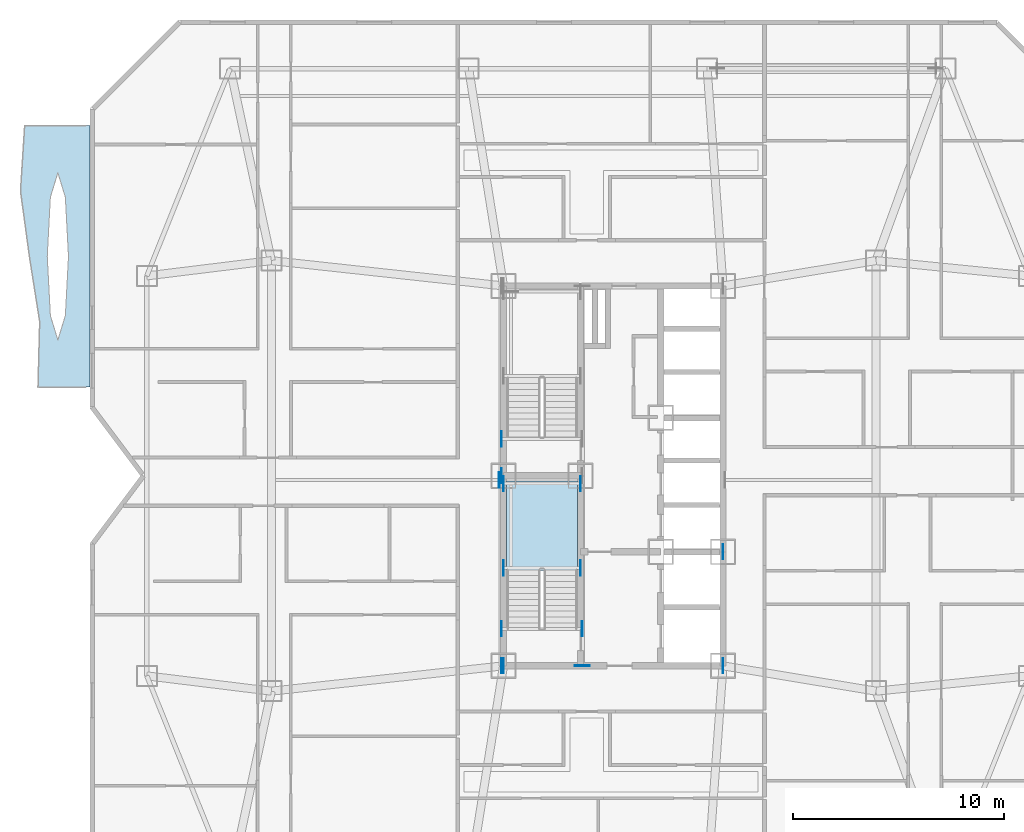
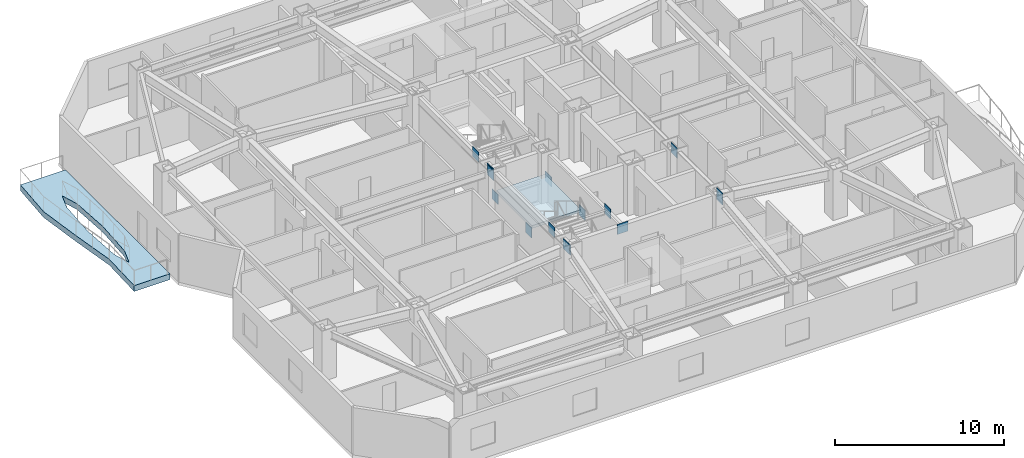
# One storey, part 2 of 15: 15 plates, 2 slabs, 1 element without a shape of its own.
"""IFC4 building model written with IfcOpenShell, lengths in metres."""

from ifc_helpers import new_model, si_unit, direction, frame, origin, origin_2d, place, context, subcontext, project, spatial, polyline, rectangle, outline, extrude, material, layer, layer_set, type_object, element, aggregate, save


model = new_model("IFC4")

# Units and contexts
model_context = context("Model", 3, precision=1e-05, world=origin(), true_north=direction((0.0, 1.0)))
body_context = subcontext(model_context, "Body", "Model", "MODEL_VIEW")
ifc_project = project(units=[si_unit("LENGTHUNIT", "METRE"), si_unit("AREAUNIT", "SQUARE_METRE"), si_unit("VOLUMEUNIT", "CUBIC_METRE"), si_unit("PLANEANGLEUNIT", "RADIAN"), si_unit("MASSUNIT", "GRAM", prefix="KILO")], contexts=[model_context])

# Site, building, storey
site_placement = place(None, origin())
site = spatial("IfcSite", under=ifc_project, at=site_placement, CompositionType="ELEMENT")
building_placement = place(site_placement, origin())
building = spatial("IfcBuilding", under=site, at=building_placement, Name="Khamvora Tower", CompositionType="ELEMENT")
storey_placement = place(building_placement, frame((0.0, 0.0, 101.89990234375)))
storey = spatial("IfcBuildingStorey", under=building, at=storey_placement, Name="L25", CompositionType="ELEMENT", Elevation=101.89990234375)

# Plates
ifc_material_1 = material(Name="Steel S460", Category="steel")
ifc_layer_1 = layer(ifc_material_1, 0.034912109375)
ifc_layer_set_1 = layer_set([ifc_layer_1], Name="Steel S460")
plate_type = type_object("IfcPlateType", Name="PL-EMB-35", PredefinedType="SHEET", material=ifc_layer_set_1)
for number, where, z_axis, x_axis, name in (
    (1, (29.0, 23.635009765625, 1.13427734375), (0.0, 0.0, 1.0), (1.0, 0.0, 0.0), "L25 core shear wall cast-in embed plate 0740"),
    (2, (32.64990234375, 23.635009765625, 1.13427734375), (0.0, 0.0, 1.0), (1.0, 0.0, 0.0), "L25 core shear wall cast-in embed plate 0741"),
    (3, (29.0, 27.6298828125, 1.13427734375), (0.0, 0.0, 1.0), (1.0, 0.0, 0.0), "L25 core shear wall cast-in embed plate 0742"),
    (4, (32.64990234375, 27.6298828125, 1.13427734375), (0.0, 0.0, 1.0), (1.0, 0.0, 0.0), "L25 core shear wall cast-in embed plate 0743"),
    (5, (29.0, 19.0, 2.68408203125), (0.0, 0.0, 1.0), (1.0, 0.0, 0.0), "L25 core shear wall cast-in embed plate 0749"),
    (6, (39.39990234375, 19.0, 2.68408203125), (0.0, 0.0, 1.0), (1.0, 0.0, 0.0), "L25 core shear wall cast-in embed plate 0750"),
    (7, (28.89990234375, 19.0, 2.80419921875), (0.0, 0.0, 1.0), (1.0, 0.0, 0.0), "L25 core shear wall cast-in embed plate 0753"),
    (8, (28.89990234375, 28.0, 2.80419921875), (0.0, 0.0, 1.0), (1.0, 0.0, 0.0), "L25 core shear wall cast-in embed plate 0754"),
):
    element("IfcPlate", number, at=place(storey_placement, frame(where, z_axis=z_axis, x_axis=x_axis)), inside=storey, type_object=plate_type, Name=name, PredefinedType="SHEET", context=body_context, shape_type="SweptSolid", body=[
        extrude(rectangle(XDim=0.034912109375, YDim=0.719970703125, at=origin_2d()), origin(), (0.0, 0.0, 1.0), 0.719970703125),
    ])
plate_placement = place(storey_placement, frame((32.72998046875, 19.0, 2.80419921875), z_axis=(0.0, 0.0, 1.0), x_axis=(1.0, 0.0, 0.0)))
element("IfcPlate", 9, at=plate_placement, inside=storey, type_object=plate_type, Name="L25 core shear wall cast-in embed plate 0756", PredefinedType="SHEET", context=body_context, shape_type="SweptSolid", body=[
    extrude(rectangle(XDim=0.719970703125, YDim=0.034912109375, at=origin_2d()), origin(), (0.0, 0.0, 1.0), 0.719970703125),
])
for number, where, z_axis, x_axis, name in (
    (10, (39.39990234375, 19.0, 2.80419921875), (0.0, 0.0, 1.0), (1.0, 0.0, 0.0), "L25 core shear wall cast-in embed plate 0759"),
    (11, (39.39990234375, 24.39990234375, 2.80419921875), (0.0, 0.0, 1.0), (1.0, 0.0, 0.0), "L25 core shear wall cast-in embed plate 0760"),
    (12, (28.89990234375, 20.75, 2.9443359375), (0.0, 0.0, 1.0), (1.0, 0.0, 0.0), "L25 core shear wall cast-in embed plate 0762"),
    (13, (32.72998046875, 20.75, 2.9443359375), (0.0, 0.0, 1.0), (1.0, 0.0, 0.0), "L25 core shear wall cast-in embed plate 0763"),
    (14, (28.89990234375, 29.75, 2.9443359375), (0.0, 0.0, 1.0), (1.0, 0.0, 0.0), "L25 core shear wall cast-in embed plate 0764"),
    (15, (28.800048828125, 27.800048828125, 2.84033203125), (0.0, 0.0, 1.0), (1.0, 0.0, 0.0), "L25 core shear wall cast-in embed plate 0766"),
):
    element("IfcPlate", number, at=place(storey_placement, frame(where, z_axis=z_axis, x_axis=x_axis)), inside=storey, type_object=plate_type, Name=name, PredefinedType="SHEET", context=body_context, shape_type="SweptSolid", body=[
        extrude(rectangle(XDim=0.034912109375, YDim=0.719970703125, at=origin_2d()), origin(), (0.0, 0.0, 1.0), 0.719970703125),
    ])

# Slab
ifc_material_2 = material(Name="Concrete C40/50", Category="concrete")
ifc_layer_2 = layer(ifc_material_2, 0.419921875)
ifc_layer_set_2 = layer_set([ifc_layer_2], Name="Concrete C40/50")
slab_type_1 = type_object("IfcSlabType", Name="SLB-GRD-420", PredefinedType="FLOOR", material=ifc_layer_set_2)
slab_1_placement = place(storey_placement, frame((0.0, 0.0, -0.419921875)))
element("IfcSlab", 16, at=slab_1_placement, inside=storey, type_object=slab_type_1, Name="L25 external lens gallery slab WL2", PredefinedType="FLOOR", context=body_context, shape_type="SweptSolid", body=[
    extrude(outline(polyline([(9.39990234375, 32.199951171875), (9.39990234375, 44.60009765625), (6.31298828125, 44.60009765625), (6.114990234375, 41.5), (6.534912109375, 38.39990234375), (7.02392578125, 35.300048828125), (6.94189453125, 32.199951171875), (9.39990234375, 32.199951171875)]), holes=[polyline([(8.388916015625, 38.39990234375), (8.240966796875, 41.2060546875), (7.885009765625, 42.367919921875), (7.529052734375, 41.2060546875), (7.381103515625, 38.39990234375), (7.529052734375, 35.593994140625), (7.885009765625, 34.431884765625), (8.240966796875, 35.593994140625), (8.388916015625, 38.39990234375)])]), origin(), (0.0, 0.0, 1.0), 0.419921875),
])

# Stair, slab
stair_type = type_object("IfcStairType", Name="STR-ST-01", PredefinedType="HALF_TURN_STAIR", material=ifc_material_2)
stair_placement = place(storey_placement, origin())
stair = element("IfcStair", 17, at=stair_placement, inside=storey, type_object=stair_type, Name="L25 South Tower Exit Stair ST-01", PredefinedType="HALF_TURN_STAIR")
ifc_layer_3 = layer(ifc_material_2, 0.199951171875)
ifc_layer_set_3 = layer_set([ifc_layer_3], Name="Concrete C40/50")
slab_type_2 = type_object("IfcSlabType", Name="SLB-LND-200", PredefinedType="LANDING", material=ifc_layer_set_3)
slab_2_placement = place(storey_placement, frame((0.0, 0.0, 1.625)))
slab_2 = element("IfcSlab", 18, at=slab_2_placement, type_object=slab_type_2, Name="ST-01 landing 1", PredefinedType="LANDING", context=body_context, shape_type="SweptSolid", body=[
    extrude(outline(polyline([(32.5, 23.514892578125), (32.5, 27.75), (29.14990234375, 27.75), (29.14990234375, 23.514892578125), (32.5, 23.514892578125)])), origin(), (0.0, 0.0, 1.0), 0.2001953125),
])
aggregate(stair, [slab_2])

save(model, "model.ifc")
